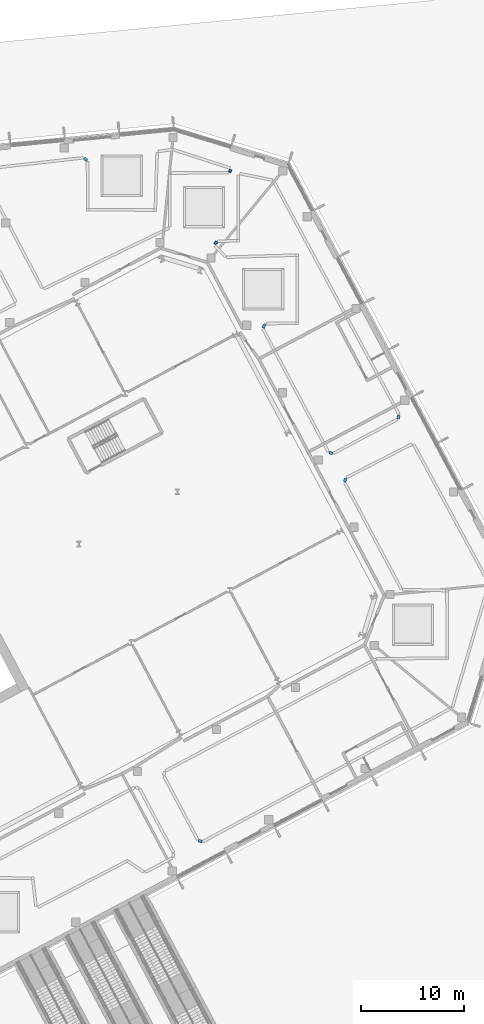
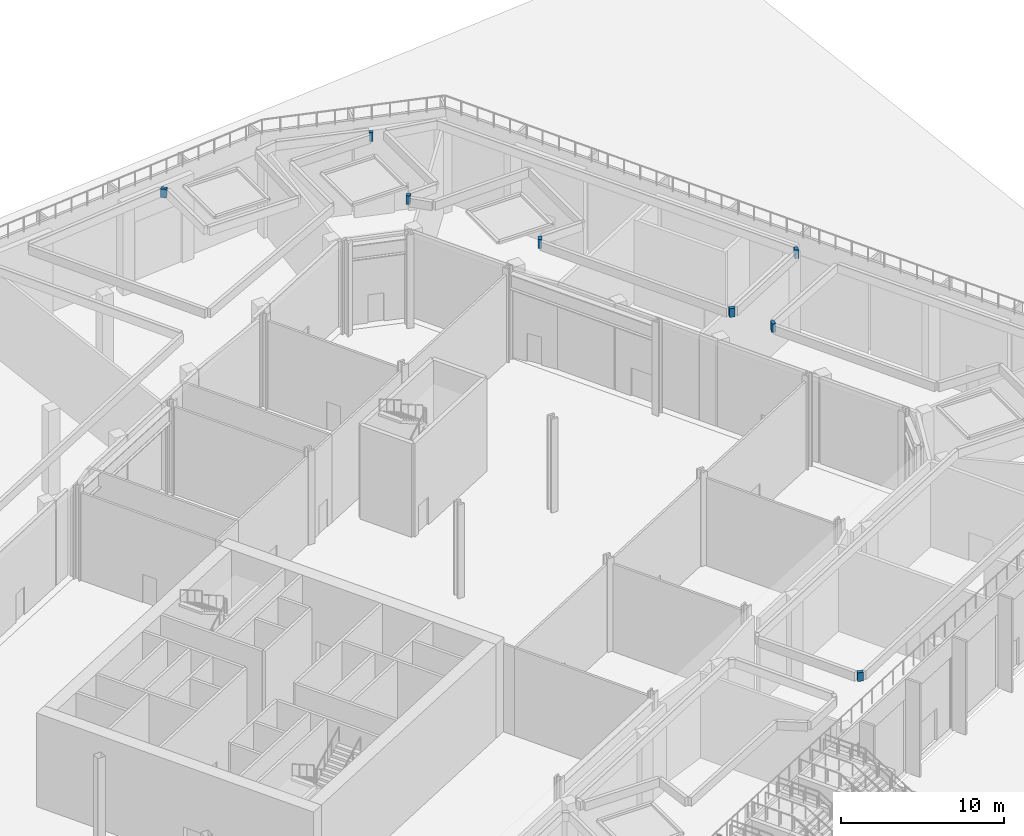
# One storey, part 31 of 57: 8 walls.
"""IFC4 building model written with IfcOpenShell, lengths in metres."""

from ifc_helpers import new_model, si_unit, direction, frame, frame_2d, origin, place, context, subcontext, project, spatial, rectangle, extrude, material, layer, layer_set, type_object, element, save


model = new_model("IFC4")

# Units and contexts
model_context = context("Model", 3, precision=1e-05, world=origin(), true_north=direction((0.0, 1.0)))
body_context = subcontext(model_context, "Body", "Model", "MODEL_VIEW")
ifc_project = project(units=[si_unit("LENGTHUNIT", "METRE"), si_unit("AREAUNIT", "SQUARE_METRE"), si_unit("VOLUMEUNIT", "CUBIC_METRE"), si_unit("PLANEANGLEUNIT", "RADIAN"), si_unit("MASSUNIT", "GRAM", prefix="KILO")], contexts=[model_context])

# Site, building, storey
site_placement = place(None, origin())
site = spatial("IfcSite", under=ifc_project, at=site_placement, CompositionType="ELEMENT")
building_placement = place(site_placement, origin())
building = spatial("IfcBuilding", under=site, at=building_placement, Name="Cormorant Relay Tower", CompositionType="ELEMENT")
storey_placement = place(building_placement, origin())
storey = spatial("IfcBuildingStorey", under=building, at=storey_placement, Name="L00", CompositionType="ELEMENT", Elevation=0.0)

# Walls
ifc_material = material(Name="Concrete 40 MPa", Category="concrete")
ifc_layer = layer(ifc_material, 0.25)
ifc_layer_set = layer_set([ifc_layer], Name="Planter kerb 250")
wall_type = type_object("IfcWallType", Name="Planter kerb 250", PredefinedType="STANDARD", material=ifc_layer_set)
wall_1_placement = place(storey_placement, frame((68.830078125, 28.943603515625, 7.0), z_axis=(0.0, 0.0, 1.0), x_axis=(0.292496972515, 0.956266448784, 0.0)))
element("IfcWall", 1, at=wall_1_placement, inside=storey, type_object=wall_type, Name="PLANTER 07 kerb", PredefinedType="STANDARD", context=body_context, shape_type="SweptSolid", body=[
    extrude(rectangle(XDim=0.3564453125, YDim=0.25, at=frame_2d((0.17822265625, 0.0))), origin(), (0.0, 0.0, 1.0), 0.64990234375),
])
wall_2_placement = place(storey_placement, frame((55.0205078125, -5.897705078125, 7.0), z_axis=(0.0, 0.0, 1.0), x_axis=(-0.956425680527, 0.291975885354, 0.0)))
element("IfcWall", 2, at=wall_2_placement, inside=storey, type_object=wall_type, Name="PLANTER 07 kerb", PredefinedType="STANDARD", context=body_context, shape_type="SweptSolid", body=[
    extrude(rectangle(XDim=0.35791015625, YDim=0.25, at=frame_2d((0.178955078125, 0.0))), origin(), (0.0, 0.0, 1.0), 0.64990234375),
])
wall_3_placement = place(storey_placement, frame((56.261962890625, 51.974365234375, 7.0), z_axis=(0.0, 0.0, 1.0), x_axis=(0.646899057013, 0.762575642173, 0.0)))
element("IfcWall", 3, at=wall_3_placement, inside=storey, type_object=wall_type, Name="PLANTER 09 kerb", PredefinedType="STANDARD", context=body_context, shape_type="SweptSolid", body=[
    extrude(rectangle(XDim=0.2744140625, YDim=0.25, at=frame_2d((0.13720703125, 0.0))), origin(), (0.0, 0.0, 1.0), 0.64990234375),
])
wall_4_placement = place(storey_placement, frame((74.091552734375, 35.3994140625, 7.0), z_axis=(0.0, 0.0, 1.0), x_axis=(-0.292409013933, -0.956293348597, 0.0)))
element("IfcWall", 4, at=wall_4_placement, inside=storey, type_object=wall_type, Name="PLANTER 09 kerb", PredefinedType="STANDARD", context=body_context, shape_type="SweptSolid", body=[
    extrude(rectangle(XDim=0.358154296875, YDim=0.25, at=frame_2d((0.17919921875, 0.0))), origin(), (0.0, 0.0, 1.0), 0.64990234375),
])
wall_5_placement = place(storey_placement, frame((67.656494140625, 31.691162109375, 7.0), z_axis=(0.0, 0.0, 1.0), x_axis=(-0.956351571051, 0.292218535599, 0.0)))
element("IfcWall", 5, at=wall_5_placement, inside=storey, type_object=wall_type, Name="PLANTER 09 kerb", PredefinedType="STANDARD", context=body_context, shape_type="SweptSolid", body=[
    extrude(rectangle(XDim=0.3583984375, YDim=0.25, at=frame_2d((0.17919921875, 0.0))), origin(), (0.0, 0.0, 1.0), 0.64990234375),
])
wall_6_placement = place(storey_placement, frame((60.9228515625, 43.8662109375, 7.0), z_axis=(0.0, 0.0, 1.0), x_axis=(0.515472974842, 0.856905836255, 0.0)))
element("IfcWall", 6, at=wall_6_placement, inside=storey, type_object=wall_type, Name="PLANTER 09 kerb", PredefinedType="STANDARD", context=body_context, shape_type="SweptSolid", body=[
    extrude(rectangle(XDim=0.404052734375, YDim=0.25, at=frame_2d((0.2021484375, 0.0))), origin(), (0.0, 0.0, 1.0), 0.64990234375),
])
wall_7_placement = place(storey_placement, frame((43.607421875, 60.29541015625, 7.0), z_axis=(0.0, 0.0, 1.0), x_axis=(0.7400298403, -0.672574037163, 0.0)))
element("IfcWall", 7, at=wall_7_placement, inside=storey, type_object=wall_type, Name="PLANTER 13 kerb", PredefinedType="STANDARD", context=body_context, shape_type="SweptSolid", body=[
    extrude(rectangle(XDim=0.369140625, YDim=0.25, at=frame_2d((0.1845703125, 0.0))), origin(), (0.0, 0.0, 1.0), 0.64990234375),
])
wall_8_placement = place(storey_placement, frame((57.8037109375, 59.156494140625, 7.0), z_axis=(0.0, 0.0, 1.0), x_axis=(-0.48233015337, -0.875989510868, 0.0)))
element("IfcWall", 8, at=wall_8_placement, inside=storey, type_object=wall_type, Name="PLANTER 13 kerb", PredefinedType="STANDARD", context=body_context, shape_type="SweptSolid", body=[
    extrude(rectangle(XDim=0.25048828125, YDim=0.25, at=frame_2d((0.125244140625, 0.0))), origin(), (0.0, 0.0, 1.0), 0.64990234375),
])

save(model, "model.ifc")
